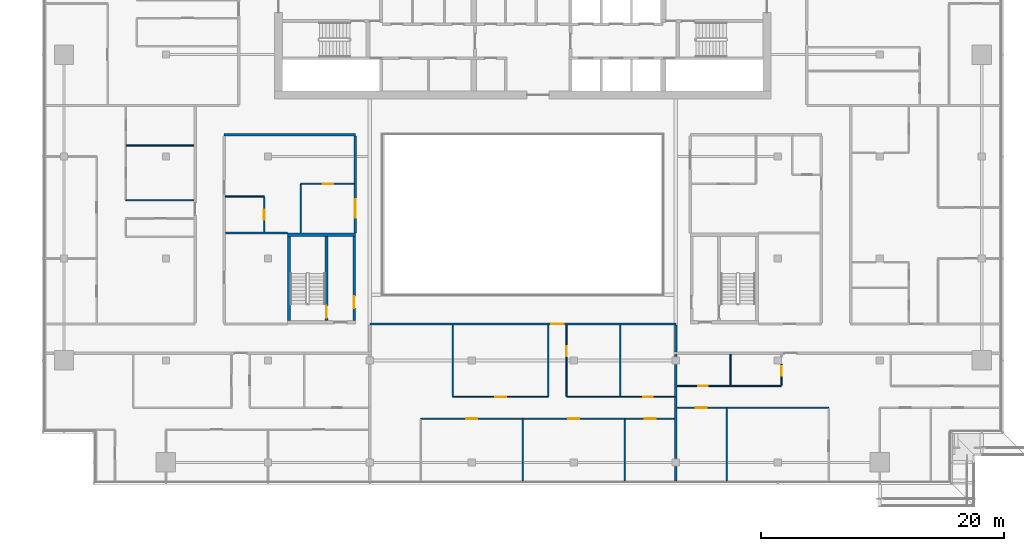
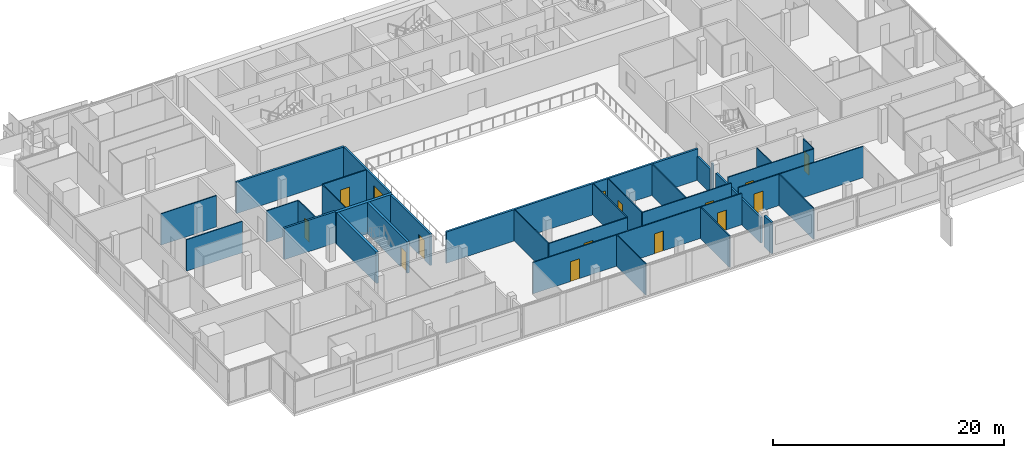
# One storey, part 19 of 30: 32 walls, 14 doors, 1 window, 15 openings.
"""IFC4 building model written with IfcOpenShell, lengths in metres."""

from ifc_helpers import new_model, si_unit, direction, frame, frame_2d, origin, place, context, subcontext, project, spatial, rectangle, extrude, material, layer, layer_set, type_object, element, fill, save


model = new_model("IFC4")

# Units and contexts
model_context = context("Model", 3, precision=1e-05, world=origin(), true_north=direction((0.0, 1.0)))
body_context = subcontext(model_context, "Body", "Model", "MODEL_VIEW")
ifc_project = project(units=[si_unit("LENGTHUNIT", "METRE"), si_unit("AREAUNIT", "SQUARE_METRE"), si_unit("VOLUMEUNIT", "CUBIC_METRE"), si_unit("PLANEANGLEUNIT", "RADIAN"), si_unit("MASSUNIT", "GRAM", prefix="KILO")], contexts=[model_context])

# Site, building, storey
site_placement = place(None, origin())
site = spatial("IfcSite", under=ifc_project, at=site_placement, CompositionType="ELEMENT")
building_placement = place(site_placement, origin())
building = spatial("IfcBuilding", under=site, at=building_placement, Name="Saffron Gate Tower", CompositionType="ELEMENT")
storey_placement = place(building_placement, frame((0.0, 0.0, 237.89990234375)))
storey = spatial("IfcBuildingStorey", under=building, at=storey_placement, Name="L58", CompositionType="ELEMENT", Elevation=237.89990234375)

# Wall, opening, door
ifc_material_1 = material(Name="Gypsum board partition on steel studs", Category="steel")
ifc_layer_1 = layer(ifc_material_1, 0.199951171875)
ifc_layer_set_1 = layer_set([ifc_layer_1], Name="CW10 Core partition 200")
wall_type_1 = type_object("IfcWallType", Name="CW10 Core partition 200", PredefinedType="PARTITIONING", material=ifc_layer_set_1)
wall_1_placement = place(storey_placement, frame((73.699951171875, 43.5, 0.0), z_axis=(0.0, 0.0, 1.0), x_axis=(0.0, 1.0, 0.0)))
wall_1 = element("IfcWall", 1, at=wall_1_placement, inside=storey, type_object=wall_type_1, Name="Wall CW10-L58-D-4", PredefinedType="PARTITIONING", context=body_context, shape_type="SweptSolid", body=[
    extrude(rectangle(XDim=6.89990234375, YDim=0.199951171875, at=frame_2d((3.449951171875, 0.0))), origin(), (0.0, 0.0, 1.0), 3.320068359375),
])
opening_1_placement = place(wall_1_placement, frame((1.0, 0.0, 0.0)))
opening_1 = element("IfcOpeningElement", 2, at=opening_1_placement, cuts=wall_1, Name="Opening CR-19", PredefinedType="OPENING", context=body_context, shape_type="SweptSolid", body=[
    extrude(rectangle(XDim=1.0, YDim=2.10009765625, at=frame_2d((0.5, 1.050048828125))), frame((0.0, 0.10986328125, 0.0), z_axis=(0.0, -1.0, 0.0), x_axis=(1.0, 0.0, 0.0)), (0.0, 0.0, 1.0), 0.219970703125),
])
ifc_material_2 = material(Name="Steel fire door set", Category="steel")
door_type_1 = type_object("IfcDoorType", Name="CD4 Lobby door 1000x2100 EI 120", OperationType="NOTDEFINED", PredefinedType="DOOR", material=ifc_material_2)
door_1_placement = place(opening_1_placement, origin())
door_1 = element("IfcDoor", 3, at=door_1_placement, inside=storey, type_object=door_type_1, Name="DOOR CR-19", OperationType="SINGLE_SWING_RIGHT", OverallHeight=2.10009765625, OverallWidth=1.0, PredefinedType="DOOR", context=body_context, shape_type="SweptSolid", body=[
    extrude(rectangle(XDim=1.0, YDim=2.10009765625, at=frame_2d((0.5, 1.050048828125))), frame((0.0, 0.02490234375, 0.0), z_axis=(0.0, -1.0, 0.0), x_axis=(1.0, 0.0, 0.0)), (0.0, 0.0, 1.0), 0.050048828125),
])
fill(opening_1, door_1)

# Wall
ifc_material_3 = material(Name="Concrete C60", Category="concrete")
ifc_layer_2 = layer(ifc_material_3, 0.25)
ifc_layer_set_2 = layer_set([ifc_layer_2], Name="CW14 RC core wall 250 C60")
wall_type_2 = type_object("IfcWallType", Name="CW14 RC core wall 250 C60", PredefinedType="SOLIDWALL", material=ifc_layer_set_2)
wall_2_placement = place(storey_placement, frame((68.324951171875, 43.5, 0.0), z_axis=(0.0, 0.0, 1.0), x_axis=(0.0, 1.0, 0.0)))
element("IfcWall", 4, at=wall_2_placement, inside=storey, type_object=wall_type_2, Name="Wall CW14-L58-D-2", PredefinedType="SOLIDWALL", context=body_context, shape_type="SweptSolid", body=[
    extrude(rectangle(XDim=6.89990234375, YDim=0.25, at=frame_2d((3.449951171875, 0.0))), origin(), (0.0, 0.0, 1.0), 3.320068359375),
])

# Wall, opening, door
wall_3_placement = place(storey_placement, frame((71.425048828125, 43.5, 0.0), z_axis=(0.0, 0.0, 1.0), x_axis=(0.0, 1.0, 0.0)))
wall_3 = element("IfcWall", 5, at=wall_3_placement, inside=storey, type_object=wall_type_2, Name="Wall CW14-L58-D-3", PredefinedType="SOLIDWALL", context=body_context, shape_type="SweptSolid", body=[
    extrude(rectangle(XDim=6.89990234375, YDim=0.25, at=frame_2d((3.449951171875, 0.0))), origin(), (0.0, 0.0, 1.0), 3.320068359375),
])
opening_2_placement = place(wall_3_placement, frame((0.199951171875, 0.0, 0.0)))
opening_2 = element("IfcOpeningElement", 6, at=opening_2_placement, cuts=wall_3, Name="Opening CR-20", PredefinedType="OPENING", context=body_context, shape_type="SweptSolid", body=[
    extrude(rectangle(XDim=1.0, YDim=2.10009765625, at=frame_2d((0.5, 1.050048828125))), frame((0.0, 0.135009765625, 0.0), z_axis=(0.0, -1.0, 0.0), x_axis=(1.0, 0.0, 0.0)), (0.0, 0.0, 1.0), 0.27001953125),
])
door_type_2 = type_object("IfcDoorType", Name="CD5 Stair door 1000x2100 EI 120", OperationType="NOTDEFINED", PredefinedType="DOOR", material=ifc_material_2)
door_2_placement = place(opening_2_placement, origin())
door_2 = element("IfcDoor", 7, at=door_2_placement, inside=storey, type_object=door_type_2, Name="DOOR CR-20", OperationType="SINGLE_SWING_LEFT", OverallHeight=2.10009765625, OverallWidth=1.0, PredefinedType="DOOR", context=body_context, shape_type="SweptSolid", body=[
    extrude(rectangle(XDim=1.0, YDim=2.10009765625, at=frame_2d((0.5, 1.050048828125))), frame((0.0, 0.02490234375, 0.0), z_axis=(0.0, -1.0, 0.0), x_axis=(1.0, 0.0, 0.0)), (0.0, 0.0, 1.0), 0.050048828125),
])
fill(opening_2, door_2)

# Wall
ifc_layer_3 = layer(ifc_material_3, 0.300048828125)
ifc_layer_set_3 = layer_set([ifc_layer_3], Name="CW17 RC core wall 300 C60")
wall_type_3 = type_object("IfcWallType", Name="CW17 RC core wall 300 C60", PredefinedType="SOLIDWALL", material=ifc_layer_set_3)
wall_4_placement = place(storey_placement, frame((68.199951171875, 50.550048828125, 0.0), z_axis=(0.0, 0.0, 1.0), x_axis=(1.0, 0.0, 0.0)))
element("IfcWall", 8, at=wall_4_placement, inside=storey, type_object=wall_type_3, Name="Wall CW17-L58-D-5", PredefinedType="SOLIDWALL", context=body_context, shape_type="SweptSolid", body=[
    extrude(rectangle(XDim=5.60009765625, YDim=0.300048828125, at=frame_2d((2.800048828125, 0.0))), origin(), (0.0, 0.0, 1.0), 3.320068359375),
])

# Wall, openings, doors
ifc_material_4 = material(Name="Plasterboard on steel studs", Category="steel")
ifc_layer_4 = layer(ifc_material_4, 0.10009765625)
ifc_layer_set_4 = layer_set([ifc_layer_4], Name="PW1 Partition 100")
wall_type_4 = type_object("IfcWallType", Name="PW1 Partition 100", PredefinedType="PARTITIONING", material=ifc_layer_set_4)
wall_5_placement = place(storey_placement, frame((100.10009765625, 35.39990234375, 0.0), z_axis=(0.0, 0.0, 1.0), x_axis=(-1.0, 0.0, 0.0)))
wall_5 = element("IfcWall", 9, at=wall_5_placement, inside=storey, type_object=wall_type_4, Name="Partition D4-3", PredefinedType="PARTITIONING", context=body_context, shape_type="SweptSolid", body=[
    extrude(rectangle(XDim=20.900146484375, YDim=0.10009765625, at=frame_2d((10.4501953125, 0.0))), origin(), (0.0, 0.0, 1.0), 3.320068359375),
])
opening_3_placement = place(wall_5_placement, frame((1.550048828125, 0.0, 0.0)))
opening_3 = element("IfcOpeningElement", 10, at=opening_3_placement, cuts=wall_5, Name="Opening D4-16", PredefinedType="OPENING", context=body_context, shape_type="SweptSolid", body=[
    extrude(rectangle(XDim=0.89990234375, YDim=2.10009765625, at=frame_2d((0.449951171875, 1.050048828125))), frame((0.0, 0.06005859375, 0.0), z_axis=(0.0, -1.0, 0.0), x_axis=(1.0, 0.0, 0.0)), (0.0, 0.0, 1.0), 0.1201171875),
])
opening_4_placement = place(wall_5_placement, frame((7.85009765625, 0.0, 0.0)))
opening_4 = element("IfcOpeningElement", 11, at=opening_4_placement, cuts=wall_5, Name="Opening D4-15", PredefinedType="OPENING", context=body_context, shape_type="SweptSolid", body=[
    extrude(rectangle(XDim=0.89990234375, YDim=2.10009765625, at=frame_2d((0.449951171875, 1.050048828125))), frame((0.0, 0.06005859375, 0.0), z_axis=(0.0, -1.0, 0.0), x_axis=(1.0, 0.0, 0.0)), (0.0, 0.0, 1.0), 0.1201171875),
])
opening_5_placement = place(wall_5_placement, frame((16.25, 0.0, 0.0)))
opening_5 = element("IfcOpeningElement", 12, at=opening_5_placement, cuts=wall_5, Name="Opening D4-14", PredefinedType="OPENING", context=body_context, shape_type="SweptSolid", body=[
    extrude(rectangle(XDim=0.89990234375, YDim=2.10009765625, at=frame_2d((0.449951171875, 1.050048828125))), frame((0.0, 0.06005859375, 0.0), z_axis=(0.0, -1.0, 0.0), x_axis=(1.0, 0.0, 0.0)), (0.0, 0.0, 1.0), 0.1201171875),
])
ifc_material_5 = material(Name="Timber door set", Category="wood")
door_type_3 = type_object("IfcDoorType", Name="RD1 Room door 900x2100", OperationType="NOTDEFINED", PredefinedType="DOOR", material=ifc_material_5)
door_3_placement = place(opening_3_placement, origin())
door_3 = element("IfcDoor", 13, at=door_3_placement, inside=storey, type_object=door_type_3, Name="Door D4-16", OperationType="SINGLE_SWING_LEFT", OverallHeight=2.10009765625, OverallWidth=0.89990234375, PredefinedType="DOOR", context=body_context, shape_type="SweptSolid", body=[
    extrude(rectangle(XDim=0.89990234375, YDim=2.10009765625, at=frame_2d((0.449951171875, 1.050048828125))), frame((0.0, 0.02490234375, 0.0), z_axis=(0.0, -1.0, 0.0), x_axis=(1.0, 0.0, 0.0)), (0.0, 0.0, 1.0), 0.050048828125),
])
fill(opening_3, door_3)
door_4_placement = place(opening_4_placement, origin())
door_4 = element("IfcDoor", 14, at=door_4_placement, inside=storey, type_object=door_type_3, Name="Door D4-15", OperationType="SINGLE_SWING_RIGHT", OverallHeight=2.10009765625, OverallWidth=0.89990234375, PredefinedType="DOOR", context=body_context, shape_type="SweptSolid", body=[
    extrude(rectangle(XDim=0.89990234375, YDim=2.10009765625, at=frame_2d((0.449951171875, 1.050048828125))), frame((0.0, 0.02490234375, 0.0), z_axis=(0.0, -1.0, 0.0), x_axis=(1.0, 0.0, 0.0)), (0.0, 0.0, 1.0), 0.050048828125),
])
fill(opening_4, door_4)
door_5_placement = place(opening_5_placement, origin())
door_5 = element("IfcDoor", 15, at=door_5_placement, inside=storey, type_object=door_type_3, Name="Door D4-14", OperationType="SINGLE_SWING_LEFT", OverallHeight=2.10009765625, OverallWidth=0.89990234375, PredefinedType="DOOR", context=body_context, shape_type="SweptSolid", body=[
    extrude(rectangle(XDim=0.89990234375, YDim=2.10009765625, at=frame_2d((0.449951171875, 1.050048828125))), frame((0.0, 0.02490234375, 0.0), z_axis=(0.0, -1.0, 0.0), x_axis=(1.0, 0.0, 0.0)), (0.0, 0.0, 1.0), 0.050048828125),
])
fill(opening_5, door_5)

# Wall, opening, door
wall_6_placement = place(storey_placement, frame((112.800048828125, 36.300048828125, 0.0), z_axis=(0.0, 0.0, 1.0), x_axis=(-1.0, 0.0, 0.0)))
wall_6 = element("IfcWall", 16, at=wall_6_placement, inside=storey, type_object=wall_type_4, Name="Partition D4-6", PredefinedType="PARTITIONING", context=body_context, shape_type="SweptSolid", body=[
    extrude(rectangle(XDim=12.5, YDim=0.10009765625, at=frame_2d((6.25, 0.0))), origin(), (0.0, 0.0, 1.0), 3.320068359375),
])
opening_6_placement = place(wall_6_placement, frame((10.050048828125, 0.0, 0.0)))
opening_6 = element("IfcOpeningElement", 17, at=opening_6_placement, cuts=wall_6, Name="Opening D4-18", PredefinedType="OPENING", context=body_context, shape_type="SweptSolid", body=[
    extrude(rectangle(XDim=0.89990234375, YDim=2.10009765625, at=frame_2d((0.449951171875, 1.050048828125))), frame((0.0, 0.06005859375, 0.0), z_axis=(0.0, -1.0, 0.0), x_axis=(1.0, 0.0, 0.0)), (0.0, 0.0, 1.0), 0.1201171875),
])
door_6_placement = place(opening_6_placement, origin())
door_6 = element("IfcDoor", 18, at=door_6_placement, inside=storey, type_object=door_type_3, Name="Door D4-18", OperationType="SINGLE_SWING_RIGHT", OverallHeight=2.10009765625, OverallWidth=0.89990234375, PredefinedType="DOOR", context=body_context, shape_type="SweptSolid", body=[
    extrude(rectangle(XDim=0.89990234375, YDim=2.10009765625, at=frame_2d((0.449951171875, 1.050048828125))), frame((0.0, 0.02490234375, 0.0), z_axis=(0.0, -1.0, 0.0), x_axis=(1.0, 0.0, 0.0)), (0.0, 0.0, 1.0), 0.050048828125),
])
fill(opening_6, door_6)

wall_7_placement = place(storey_placement, frame((81.833251953125, 37.199951171875, 0.0), z_axis=(0.0, 0.0, 1.0), x_axis=(1.0, 0.0, 0.0)))
wall_7 = element("IfcWall", 19, at=wall_7_placement, inside=storey, type_object=wall_type_4, Name="Partition D4-8", PredefinedType="PARTITIONING", context=body_context, shape_type="SweptSolid", body=[
    extrude(rectangle(XDim=7.86669921875, YDim=0.10009765625, at=frame_2d((3.933349609375, 0.0))), origin(), (0.0, 0.0, 1.0), 3.320068359375),
])
opening_7_placement = place(wall_7_placement, frame((3.4833984375, 0.0, 0.0)))
opening_7 = element("IfcOpeningElement", 20, at=opening_7_placement, cuts=wall_7, Name="Opening D4-17", PredefinedType="OPENING", context=body_context, shape_type="SweptSolid", body=[
    extrude(rectangle(XDim=0.89990234375, YDim=2.10009765625, at=frame_2d((0.449951171875, 1.050048828125))), frame((0.0, 0.06005859375, 0.0), z_axis=(0.0, -1.0, 0.0), x_axis=(1.0, 0.0, 0.0)), (0.0, 0.0, 1.0), 0.1201171875),
])
door_7_placement = place(opening_7_placement, origin())
door_7 = element("IfcDoor", 21, at=door_7_placement, inside=storey, type_object=door_type_3, Name="Door D4-17", OperationType="SINGLE_SWING_LEFT", OverallHeight=2.10009765625, OverallWidth=0.89990234375, PredefinedType="DOOR", context=body_context, shape_type="SweptSolid", body=[
    extrude(rectangle(XDim=0.89990234375, YDim=2.10009765625, at=frame_2d((0.449951171875, 1.050048828125))), frame((0.0, 0.02490234375, 0.0), z_axis=(0.0, -1.0, 0.0), x_axis=(1.0, 0.0, 0.0)), (0.0, 0.0, 1.0), 0.050048828125),
])
fill(opening_7, door_7)

wall_8_placement = place(storey_placement, frame((91.199951171875, 37.199951171875, 0.0), z_axis=(0.0, 0.0, 1.0), x_axis=(1.0, 0.0, 0.0)))
wall_8 = element("IfcWall", 22, at=wall_8_placement, inside=storey, type_object=wall_type_4, Name="Partition D4-9", PredefinedType="PARTITIONING", context=body_context, shape_type="SweptSolid", body=[
    extrude(rectangle(XDim=8.900146484375, YDim=0.10009765625, at=frame_2d((4.4501953125, 0.0))), origin(), (0.0, 0.0, 1.0), 3.320068359375),
])
opening_8_placement = place(wall_8_placement, frame((6.308349609375, 0.0, 0.0)))
opening_8 = element("IfcOpeningElement", 23, at=opening_8_placement, cuts=wall_8, Name="Opening D4-40", PredefinedType="OPENING", context=body_context, shape_type="SweptSolid", body=[
    extrude(rectangle(XDim=0.800048828125, YDim=2.10009765625, at=frame_2d((0.39990234375, 1.050048828125))), frame((0.0, 0.06005859375, 0.0), z_axis=(0.0, -1.0, 0.0), x_axis=(1.0, 0.0, 0.0)), (0.0, 0.0, 1.0), 0.1201171875),
])
door_type_4 = type_object("IfcDoorType", Name="RD2 Bathroom door 800x2100", OperationType="NOTDEFINED", PredefinedType="DOOR", material=ifc_material_5)
door_8_placement = place(opening_8_placement, origin())
door_8 = element("IfcDoor", 24, at=door_8_placement, inside=storey, type_object=door_type_4, Name="Door D4-40", OperationType="SINGLE_SWING_RIGHT", OverallHeight=2.10009765625, OverallWidth=0.800048828125, PredefinedType="DOOR", context=body_context, shape_type="SweptSolid", body=[
    extrude(rectangle(XDim=0.800048828125, YDim=2.10009765625, at=frame_2d((0.39990234375, 1.050048828125))), frame((0.0, 0.02490234375, 0.0), z_axis=(0.0, -1.0, 0.0), x_axis=(1.0, 0.0, 0.0)), (0.0, 0.0, 1.0), 0.050048828125),
])
fill(opening_8, door_8)

wall_9_placement = place(storey_placement, frame((100.300048828125, 38.10009765625, 0.0), z_axis=(0.0, 0.0, 1.0), x_axis=(1.0, 0.0, 0.0)))
wall_9 = element("IfcWall", 25, at=wall_9_placement, inside=storey, type_object=wall_type_4, Name="Partition D4-10", PredefinedType="PARTITIONING", context=body_context, shape_type="SweptSolid", body=[
    extrude(rectangle(XDim=8.599853515625, YDim=0.10009765625, at=frame_2d((4.2998046875, 0.0))), origin(), (0.0, 0.0, 1.0), 3.320068359375),
])
opening_9_placement = place(wall_9_placement, frame((1.75, 0.0, 0.0)))
opening_9 = element("IfcOpeningElement", 26, at=opening_9_placement, cuts=wall_9, Name="Opening D4-41", PredefinedType="OPENING", context=body_context, shape_type="SweptSolid", body=[
    extrude(rectangle(XDim=0.800048828125, YDim=2.10009765625, at=frame_2d((0.39990234375, 1.050048828125))), frame((0.0, 0.06005859375, 0.0), z_axis=(0.0, -1.0, 0.0), x_axis=(1.0, 0.0, 0.0)), (0.0, 0.0, 1.0), 0.1201171875),
])
door_9_placement = place(opening_9_placement, origin())
door_9 = element("IfcDoor", 27, at=door_9_placement, inside=storey, type_object=door_type_4, Name="Door D4-41", OperationType="SINGLE_SWING_LEFT", OverallHeight=2.10009765625, OverallWidth=0.800048828125, PredefinedType="DOOR", context=body_context, shape_type="SweptSolid", body=[
    extrude(rectangle(XDim=0.800048828125, YDim=2.10009765625, at=frame_2d((0.39990234375, 1.050048828125))), frame((0.0, 0.02490234375, 0.0), z_axis=(0.0, -1.0, 0.0), x_axis=(1.0, 0.0, 0.0)), (0.0, 0.0, 1.0), 0.050048828125),
])
fill(opening_9, door_9)

# Walls
wall_10_placement = place(storey_placement, frame((54.89990234375, 53.39990234375, 0.0), z_axis=(0.0, 0.0, 1.0), x_axis=(1.0, 0.0, 0.0)))
element("IfcWall", 28, at=wall_10_placement, inside=storey, type_object=wall_type_4, Name="Partition D4-33", PredefinedType="PARTITIONING", context=body_context, shape_type="SweptSolid", body=[
    extrude(rectangle(XDim=5.60009765625, YDim=0.10009765625, at=frame_2d((2.800048828125, 0.0))), origin(), (0.0, 0.0, 1.0), 3.320068359375),
])
wall_11_placement = place(storey_placement, frame((63.10009765625, 53.699951171875, 0.0), z_axis=(0.0, 0.0, 1.0), x_axis=(1.0, 0.0, 0.0)))
element("IfcWall", 29, at=wall_11_placement, inside=storey, type_object=wall_type_4, Name="Partition D4-34", PredefinedType="PARTITIONING", context=body_context, shape_type="SweptSolid", body=[
    extrude(rectangle(XDim=3.199951171875, YDim=0.10009765625, at=frame_2d((1.60009765625, 0.0))), origin(), (0.0, 0.0, 1.0), 3.320068359375),
])

# Wall, opening, door
wall_12_placement = place(storey_placement, frame((73.699951171875, 54.75, 0.0), z_axis=(0.0, 0.0, 1.0), x_axis=(-1.0, 0.0, 0.0)))
wall_12 = element("IfcWall", 30, at=wall_12_placement, inside=storey, type_object=wall_type_4, Name="Partition D4-35", PredefinedType="PARTITIONING", context=body_context, shape_type="SweptSolid", body=[
    extrude(rectangle(XDim=4.39990234375, YDim=0.10009765625, at=frame_2d((2.199951171875, 0.0))), origin(), (0.0, 0.0, 1.0), 3.320068359375),
])
opening_10_placement = place(wall_12_placement, frame((1.699951171875, 0.0, 0.0)))
opening_10 = element("IfcOpeningElement", 31, at=opening_10_placement, cuts=wall_12, Name="Opening D4-35", PredefinedType="OPENING", context=body_context, shape_type="SweptSolid", body=[
    extrude(rectangle(XDim=0.89990234375, YDim=2.10009765625, at=frame_2d((0.449951171875, 1.050048828125))), frame((0.0, 0.06005859375, 0.0), z_axis=(0.0, -1.0, 0.0), x_axis=(1.0, 0.0, 0.0)), (0.0, 0.0, 1.0), 0.1201171875),
])
door_10_placement = place(opening_10_placement, origin())
door_10 = element("IfcDoor", 32, at=door_10_placement, inside=storey, type_object=door_type_3, Name="Door D4-35", OperationType="SINGLE_SWING_LEFT", OverallHeight=2.10009765625, OverallWidth=0.89990234375, PredefinedType="DOOR", context=body_context, shape_type="SweptSolid", body=[
    extrude(rectangle(XDim=0.89990234375, YDim=2.10009765625, at=frame_2d((0.449951171875, 1.050048828125))), frame((0.0, 0.02490234375, 0.0), z_axis=(0.0, -1.0, 0.0), x_axis=(1.0, 0.0, 0.0)), (0.0, 0.0, 1.0), 0.050048828125),
])
fill(opening_10, door_10)

# Wall
wall_13_placement = place(storey_placement, frame((54.949951171875, 57.89990234375, 0.0), z_axis=(0.0, 0.0, 1.0), x_axis=(1.0, 0.0, 0.0)))
element("IfcWall", 33, at=wall_13_placement, inside=storey, type_object=wall_type_4, Name="Partition D4-42", PredefinedType="PARTITIONING", context=body_context, shape_type="SweptSolid", body=[
    extrude(rectangle(XDim=5.550048828125, YDim=0.10009765625, at=frame_2d((2.77490234375, 0.0))), origin(), (0.0, 0.0, 1.0), 3.320068359375),
])

# Wall, opening, door
wall_14_placement = place(storey_placement, frame((66.300048828125, 50.800048828125, 0.0), z_axis=(0.0, 0.0, 1.0), x_axis=(0.0, 1.0, 0.0)))
wall_14 = element("IfcWall", 34, at=wall_14_placement, inside=storey, type_object=wall_type_4, Name="Partition D4-74", PredefinedType="PARTITIONING", context=body_context, shape_type="SweptSolid", body=[
    extrude(rectangle(XDim=2.849853515625, YDim=0.10009765625, at=frame_2d((1.4248046875, 0.0))), origin(), (0.0, 0.0, 1.0), 3.320068359375),
])
opening_11_placement = place(wall_14_placement, frame((1.0, 0.0, 0.0)))
opening_11 = element("IfcOpeningElement", 35, at=opening_11_placement, cuts=wall_14, Name="Opening D4-49", PredefinedType="OPENING", context=body_context, shape_type="SweptSolid", body=[
    extrude(rectangle(XDim=0.800048828125, YDim=2.10009765625, at=frame_2d((0.39990234375, 1.050048828125))), frame((0.0, 0.06005859375, 0.0), z_axis=(0.0, -1.0, 0.0), x_axis=(1.0, 0.0, 0.0)), (0.0, 0.0, 1.0), 0.1201171875),
])
door_11_placement = place(opening_11_placement, origin())
door_11 = element("IfcDoor", 36, at=door_11_placement, inside=storey, type_object=door_type_4, Name="Door D4-49", OperationType="SINGLE_SWING_LEFT", OverallHeight=2.10009765625, OverallWidth=0.800048828125, PredefinedType="DOOR", context=body_context, shape_type="SweptSolid", body=[
    extrude(rectangle(XDim=0.800048828125, YDim=2.10009765625, at=frame_2d((0.39990234375, 1.050048828125))), frame((0.0, 0.02490234375, 0.0), z_axis=(0.0, -1.0, 0.0), x_axis=(1.0, 0.0, 0.0)), (0.0, 0.0, 1.0), 0.050048828125),
])
fill(opening_11, door_11)

# Walls
wall_15_placement = place(storey_placement, frame((69.300048828125, 54.699951171875, 0.0), z_axis=(0.0, 0.0, 1.0), x_axis=(0.0, -1.0, 0.0)))
element("IfcWall", 37, at=wall_15_placement, inside=storey, type_object=wall_type_4, Name="Partition D4-77", PredefinedType="PARTITIONING", context=body_context, shape_type="SweptSolid", body=[
    extrude(rectangle(XDim=4.0, YDim=0.10009765625, at=frame_2d((2.0, 0.0))), origin(), (0.0, 0.0, 1.0), 3.320068359375),
])
wall_16_placement = place(storey_placement, frame((81.833251953125, 43.10009765625, 0.0), z_axis=(0.0, 0.0, 1.0), x_axis=(0.0, -1.0, 0.0)))
element("IfcWall", 38, at=wall_16_placement, inside=storey, type_object=wall_type_4, Name="Partition D4-85", PredefinedType="PARTITIONING", context=body_context, shape_type="SweptSolid", body=[
    extrude(rectangle(XDim=5.85009765625, YDim=0.10009765625, at=frame_2d((2.925048828125, 0.0))), origin(), (0.0, 0.0, 1.0), 3.320068359375),
])
wall_17_placement = place(storey_placement, frame((87.60009765625, 35.35009765625, 0.0), z_axis=(0.0, 0.0, 1.0), x_axis=(0.0, -1.0, 0.0)))
element("IfcWall", 39, at=wall_17_placement, inside=storey, type_object=wall_type_4, Name="Partition D4-86", PredefinedType="PARTITIONING", context=body_context, shape_type="SweptSolid", body=[
    extrude(rectangle(XDim=5.070068359375, YDim=0.10009765625, at=frame_2d((2.53515625, 0.0))), origin(), (0.0, 0.0, 1.0), 3.320068359375),
])
wall_18_placement = place(storey_placement, frame((89.699951171875, 43.10009765625, 0.0), z_axis=(0.0, 0.0, 1.0), x_axis=(0.0, -1.0, 0.0)))
element("IfcWall", 40, at=wall_18_placement, inside=storey, type_object=wall_type_4, Name="Partition D4-87", PredefinedType="PARTITIONING", context=body_context, shape_type="SweptSolid", body=[
    extrude(rectangle(XDim=5.85009765625, YDim=0.10009765625, at=frame_2d((2.925048828125, 0.0))), origin(), (0.0, 0.0, 1.0), 3.320068359375),
])

# Wall, opening, door
wall_19_placement = place(storey_placement, frame((91.199951171875, 43.10009765625, 0.0), z_axis=(0.0, 0.0, 1.0), x_axis=(0.0, -1.0, 0.0)))
wall_19 = element("IfcWall", 41, at=wall_19_placement, inside=storey, type_object=wall_type_4, Name="Partition D4-88", PredefinedType="PARTITIONING", context=body_context, shape_type="SweptSolid", body=[
    extrude(rectangle(XDim=5.85009765625, YDim=0.10009765625, at=frame_2d((2.925048828125, 0.0))), origin(), (0.0, 0.0, 1.0), 3.320068359375),
])
opening_12_placement = place(wall_19_placement, frame((1.75, 0.0, 0.0)))
opening_12 = element("IfcOpeningElement", 42, at=opening_12_placement, cuts=wall_19, Name="Opening D4-39", PredefinedType="OPENING", context=body_context, shape_type="SweptSolid", body=[
    extrude(rectangle(XDim=0.800048828125, YDim=2.10009765625, at=frame_2d((0.39990234375, 1.050048828125))), frame((0.0, 0.06005859375, 0.0), z_axis=(0.0, -1.0, 0.0), x_axis=(1.0, 0.0, 0.0)), (0.0, 0.0, 1.0), 0.1201171875),
])
door_12_placement = place(opening_12_placement, origin())
door_12 = element("IfcDoor", 43, at=door_12_placement, inside=storey, type_object=door_type_4, Name="Door D4-39", OperationType="SINGLE_SWING_LEFT", OverallHeight=2.10009765625, OverallWidth=0.800048828125, PredefinedType="DOOR", context=body_context, shape_type="SweptSolid", body=[
    extrude(rectangle(XDim=0.800048828125, YDim=2.10009765625, at=frame_2d((0.39990234375, 1.050048828125))), frame((0.0, 0.02490234375, 0.0), z_axis=(0.0, -1.0, 0.0), x_axis=(1.0, 0.0, 0.0)), (0.0, 0.0, 1.0), 0.050048828125),
])
fill(opening_12, door_12)

# Walls
wall_20_placement = place(storey_placement, frame((95.61669921875, 43.10009765625, 0.0), z_axis=(0.0, 0.0, 1.0), x_axis=(0.0, -1.0, 0.0)))
element("IfcWall", 44, at=wall_20_placement, inside=storey, type_object=wall_type_4, Name="Partition D4-89", PredefinedType="PARTITIONING", context=body_context, shape_type="SweptSolid", body=[
    extrude(rectangle(XDim=5.85009765625, YDim=0.10009765625, at=frame_2d((2.925048828125, 0.0))), origin(), (0.0, 0.0, 1.0), 3.320068359375),
])
wall_21_placement = place(storey_placement, frame((96.0, 35.35009765625, 0.0), z_axis=(0.0, 0.0, 1.0), x_axis=(0.0, -1.0, 0.0)))
element("IfcWall", 45, at=wall_21_placement, inside=storey, type_object=wall_type_4, Name="Partition D4-90", PredefinedType="PARTITIONING", context=body_context, shape_type="SweptSolid", body=[
    extrude(rectangle(XDim=5.070068359375, YDim=0.10009765625, at=frame_2d((2.53515625, 0.0))), origin(), (0.0, 0.0, 1.0), 3.320068359375),
])
wall_22_placement = place(storey_placement, frame((104.39990234375, 36.25, 0.0), z_axis=(0.0, 0.0, 1.0), x_axis=(0.0, -1.0, 0.0)))
element("IfcWall", 46, at=wall_22_placement, inside=storey, type_object=wall_type_4, Name="Partition D4-96", PredefinedType="PARTITIONING", context=body_context, shape_type="SweptSolid", body=[
    extrude(rectangle(XDim=5.969970703125, YDim=0.10009765625, at=frame_2d((2.98486328125, 0.0))), origin(), (0.0, 0.0, 1.0), 3.320068359375),
])
wall_23_placement = place(storey_placement, frame((104.699951171875, 40.699951171875, 0.0), z_axis=(0.0, 0.0, 1.0), x_axis=(0.0, -1.0, 0.0)))
element("IfcWall", 47, at=wall_23_placement, inside=storey, type_object=wall_type_4, Name="Partition D4-97", PredefinedType="PARTITIONING", context=body_context, shape_type="SweptSolid", body=[
    extrude(rectangle(XDim=2.550048828125, YDim=0.10009765625, at=frame_2d((1.27490234375, 0.0))), origin(), (0.0, 0.0, 1.0), 3.320068359375),
])

# Wall, opening, door
wall_24_placement = place(storey_placement, frame((108.89990234375, 38.14990234375, 0.0), z_axis=(0.0, 0.0, 1.0), x_axis=(0.0, 1.0, 0.0)))
wall_24 = element("IfcWall", 48, at=wall_24_placement, inside=storey, type_object=wall_type_4, Name="Partition D4-99", PredefinedType="PARTITIONING", context=body_context, shape_type="SweptSolid", body=[
    extrude(rectangle(XDim=1.72998046875, YDim=0.10009765625, at=frame_2d((0.864990234375, 0.0))), origin(), (0.0, 0.0, 1.0), 3.320068359375),
])
opening_13_placement = place(wall_24_placement, frame((0.780029296875, 0.0, 0.0)))
opening_13 = element("IfcOpeningElement", 49, at=opening_13_placement, cuts=wall_24, Name="Opening D4-42", PredefinedType="OPENING", context=body_context, shape_type="SweptSolid", body=[
    extrude(rectangle(XDim=0.800048828125, YDim=2.10009765625, at=frame_2d((0.39990234375, 1.050048828125))), frame((0.0, 0.06005859375, 0.0), z_axis=(0.0, -1.0, 0.0), x_axis=(1.0, 0.0, 0.0)), (0.0, 0.0, 1.0), 0.1201171875),
])
door_13_placement = place(opening_13_placement, origin())
door_13 = element("IfcDoor", 50, at=door_13_placement, inside=storey, type_object=door_type_4, Name="Door D4-42", OperationType="SINGLE_SWING_RIGHT", OverallHeight=2.10009765625, OverallWidth=0.800048828125, PredefinedType="DOOR", context=body_context, shape_type="SweptSolid", body=[
    extrude(rectangle(XDim=0.800048828125, YDim=2.10009765625, at=frame_2d((0.39990234375, 1.050048828125))), frame((0.0, 0.02490234375, 0.0), z_axis=(0.0, -1.0, 0.0), x_axis=(1.0, 0.0, 0.0)), (0.0, 0.0, 1.0), 0.050048828125),
])
fill(opening_13, door_13)

# Walls
ifc_material_6 = material(Name="Clay brick masonry, rendered", Category="masonry")
ifc_layer_5 = layer(ifc_material_6, 0.199951171875)
ifc_layer_set_5 = layer_set([ifc_layer_5], Name="PW2 Demising wall 200")
wall_type_5 = type_object("IfcWallType", Name="PW2 Demising wall 200", PredefinedType="PARTITIONING", material=ifc_layer_set_5)
wall_25_placement = place(storey_placement, frame((63.10009765625, 50.699951171875, 0.0), z_axis=(0.0, 0.0, 1.0), x_axis=(1.0, 0.0, 0.0)))
element("IfcWall", 51, at=wall_25_placement, inside=storey, type_object=wall_type_5, Name="Wall D4-29", PredefinedType="PARTITIONING", context=body_context, shape_type="SweptSolid", body=[
    extrude(rectangle(XDim=5.099853515625, YDim=0.199951171875, at=frame_2d((2.5498046875, 0.0))), origin(), (0.0, 0.0, 1.0), 3.320068359375),
])
wall_26_placement = place(storey_placement, frame((100.199951171875, 31.47998046875, 0.0), z_axis=(0.0, 0.0, 1.0), x_axis=(0.0, -1.0, 0.0)))
element("IfcWall", 52, at=wall_26_placement, inside=storey, type_object=wall_type_5, Name="Wall D4-92", PredefinedType="PARTITIONING", context=body_context, shape_type="SweptSolid", body=[
    extrude(rectangle(XDim=1.199951171875, YDim=0.199951171875, at=frame_2d((0.60009765625, 0.0))), origin(), (0.0, 0.0, 1.0), 3.320068359375),
])
wall_27_placement = place(storey_placement, frame((100.199951171875, 39.8798828125, 0.0), z_axis=(0.0, 0.0, 1.0), x_axis=(0.0, -1.0, 0.0)))
element("IfcWall", 53, at=wall_27_placement, inside=storey, type_object=wall_type_5, Name="Wall D4-93", PredefinedType="PARTITIONING", context=body_context, shape_type="SweptSolid", body=[
    extrude(rectangle(XDim=7.759765625, YDim=0.199951171875, at=frame_2d((3.8798828125, 0.0))), origin(), (0.0, 0.0, 1.0), 2.72021484375),
])
wall_28_placement = place(storey_placement, frame((100.199951171875, 40.699951171875, 0.0), z_axis=(0.0, 0.0, 1.0), x_axis=(0.0, -1.0, 0.0)))
element("IfcWall", 54, at=wall_28_placement, inside=storey, type_object=wall_type_5, Name="Wall D4-94", PredefinedType="PARTITIONING", context=body_context, shape_type="SweptSolid", body=[
    extrude(rectangle(XDim=0.179931640625, YDim=0.199951171875, at=frame_2d((0.08984375, 0.0))), origin(), (0.0, 0.0, 1.0), 3.320068359375),
])

# Wall, opening, door
ifc_layer_6 = layer(ifc_material_6, 0.199951171875)
ifc_layer_set_6 = layer_set([ifc_layer_6], Name="PW3 Corridor wall 200")
wall_type_6 = type_object("IfcWallType", Name="PW3 Corridor wall 200", PredefinedType="PARTITIONING", material=ifc_layer_set_6)
wall_29_placement = place(storey_placement, frame((100.199951171875, 43.199951171875, 0.0), z_axis=(0.0, 0.0, 1.0), x_axis=(-1.0, 0.0, 0.0)))
wall_29 = element("IfcWall", 55, at=wall_29_placement, inside=storey, type_object=wall_type_6, Name="Wall D4-18", PredefinedType="PARTITIONING", context=body_context, shape_type="SweptSolid", body=[
    extrude(rectangle(XDim=25.199951171875, YDim=0.199951171875, at=frame_2d((12.60009765625, 0.0))), origin(), (0.0, 0.0, 1.0), 3.320068359375),
])
opening_14_placement = place(wall_29_placement, frame((9.25, 0.0, 0.0)))
opening_14 = element("IfcOpeningElement", 56, at=opening_14_placement, cuts=wall_29, Name="Opening D4-2", PredefinedType="OPENING", context=body_context, shape_type="SweptSolid", body=[
    extrude(rectangle(XDim=1.0, YDim=2.10009765625, at=frame_2d((0.5, 1.050048828125))), frame((0.0, 0.10986328125, 0.0), z_axis=(0.0, -1.0, 0.0), x_axis=(1.0, 0.0, 0.0)), (0.0, 0.0, 1.0), 0.219970703125),
])
ifc_material_7 = material(Name="Timber fire door set", Category="wood")
door_type_5 = type_object("IfcDoorType", Name="FD1 Flat entry door 1000x2100", OperationType="NOTDEFINED", PredefinedType="DOOR", material=ifc_material_7)
door_14_placement = place(opening_14_placement, origin())
door_14 = element("IfcDoor", 57, at=door_14_placement, inside=storey, type_object=door_type_5, Name="Door D4-2", OperationType="SINGLE_SWING_RIGHT", OverallHeight=2.10009765625, OverallWidth=1.0, PredefinedType="DOOR", context=body_context, shape_type="SweptSolid", body=[
    extrude(rectangle(XDim=1.0, YDim=2.10009765625, at=frame_2d((0.5, 1.050048828125))), frame((0.0, 0.02490234375, 0.0), z_axis=(0.0, -1.0, 0.0), x_axis=(1.0, 0.0, 0.0)), (0.0, 0.0, 1.0), 0.050048828125),
])
fill(opening_14, door_14)

# Wall
wall_30_placement = place(storey_placement, frame((63.0, 58.800048828125, 0.0), z_axis=(0.0, 0.0, 1.0), x_axis=(1.0, 0.0, 0.0)))
element("IfcWall", 58, at=wall_30_placement, inside=storey, type_object=wall_type_6, Name="Wall D4-43", PredefinedType="PARTITIONING", context=body_context, shape_type="SweptSolid", body=[
    extrude(rectangle(XDim=10.800048828125, YDim=0.199951171875, at=frame_2d((5.39990234375, 0.0))), origin(), (0.0, 0.0, 1.0), 3.320068359375),
])

# Wall, opening, window
wall_31_placement = place(storey_placement, frame((73.800048828125, 58.699951171875, 0.0), z_axis=(0.0, 0.0, 1.0), x_axis=(0.0, -1.0, 0.0)))
wall_31 = element("IfcWall", 59, at=wall_31_placement, inside=storey, type_object=wall_type_6, Name="Wall D4-79", PredefinedType="PARTITIONING", context=body_context, shape_type="SweptSolid", body=[
    extrude(rectangle(XDim=8.0, YDim=0.199951171875, at=frame_2d((4.0, 0.0))), origin(), (0.0, 0.0, 1.0), 3.320068359375),
])
opening_15_placement = place(wall_31_placement, frame((5.22509765625, 0.0, 0.89990234375)))
opening_15 = element("IfcOpeningElement", 60, at=opening_15_placement, cuts=wall_31, Name="Opening GW1", PredefinedType="OPENING", context=body_context, shape_type="SweptSolid", body=[
    extrude(rectangle(XDim=1.5, YDim=1.5, at=frame_2d((0.75, 0.75))), frame((0.0, 0.10986328125, 0.0), z_axis=(0.0, -1.0, 0.0), x_axis=(1.0, 0.0, 0.0)), (0.0, 0.0, 1.0), 0.219970703125),
])
ifc_material_8 = material(Name="Fire-resisting laminated glass in steel frame", Category="steel")
ifc_layer_7 = layer(ifc_material_8, 0.06005859375)
ifc_layer_set_7 = layer_set([ifc_layer_7], Name="GW1 Gallery window 1500x1500")
window_type = type_object("IfcWindowType", Name="GW1 Gallery window 1500x1500", PartitioningType="SINGLE_PANEL", PredefinedType="WINDOW", material=ifc_layer_set_7)
window_placement = place(opening_15_placement, origin())
window = element("IfcWindow", 61, at=window_placement, inside=storey, type_object=window_type, Name="GW1 window D4-H-B1", OverallHeight=1.5, OverallWidth=1.5, PartitioningType="SINGLE_PANEL", PredefinedType="WINDOW", context=body_context, shape_type="SweptSolid", body=[
    extrude(rectangle(XDim=1.5, YDim=1.5, at=frame_2d((0.75, 0.75))), frame((0.0, 0.030029296875, 0.0), z_axis=(0.0, -1.0, 0.0), x_axis=(1.0, 0.0, 0.0)), (0.0, 0.0, 1.0), 0.06005859375),
])
fill(opening_15, window)

# Wall
wall_32_placement = place(storey_placement, frame((100.199951171875, 43.10009765625, 0.0), z_axis=(0.0, 0.0, 1.0), x_axis=(0.0, -1.0, 0.0)))
element("IfcWall", 62, at=wall_32_placement, inside=storey, type_object=wall_type_6, Name="Wall D4-91", PredefinedType="PARTITIONING", context=body_context, shape_type="SweptSolid", body=[
    extrude(rectangle(XDim=2.2001953125, YDim=0.199951171875, at=frame_2d((1.10009765625, 0.0))), origin(), (0.0, 0.0, 1.0), 2.530029296875),
])

save(model, "model.ifc")
